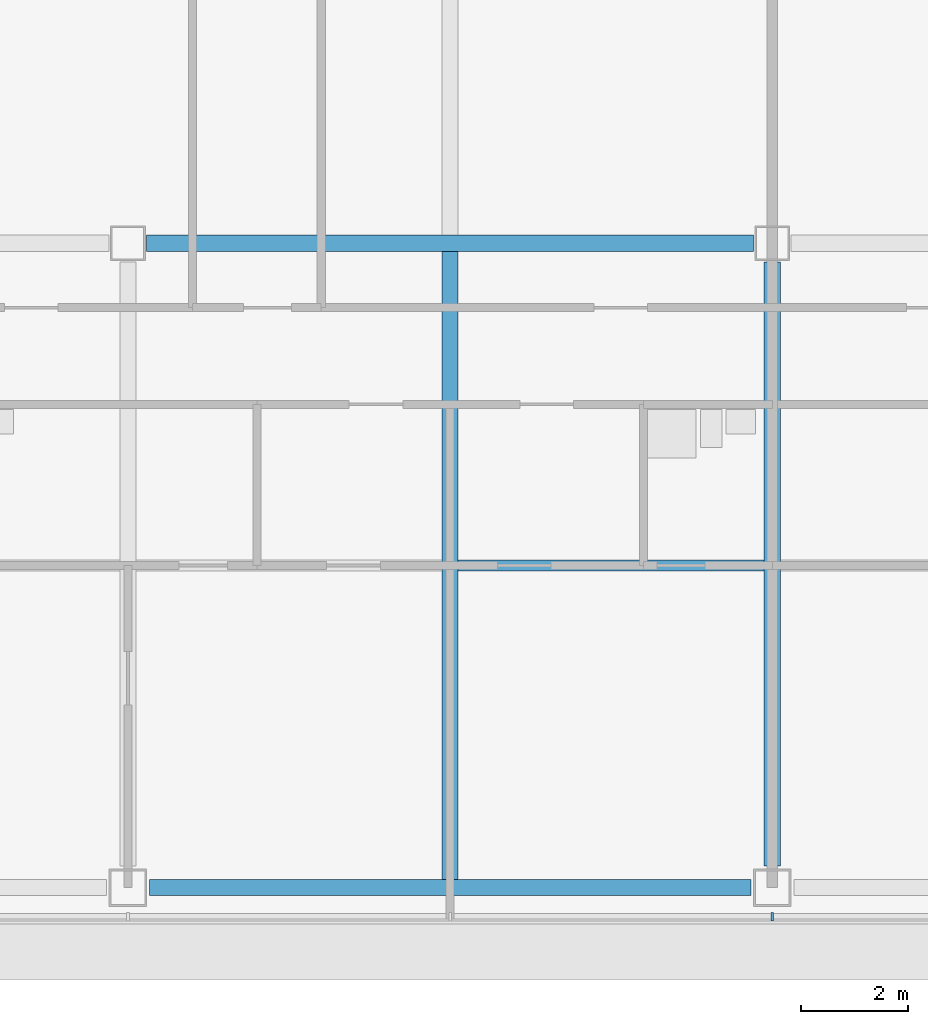
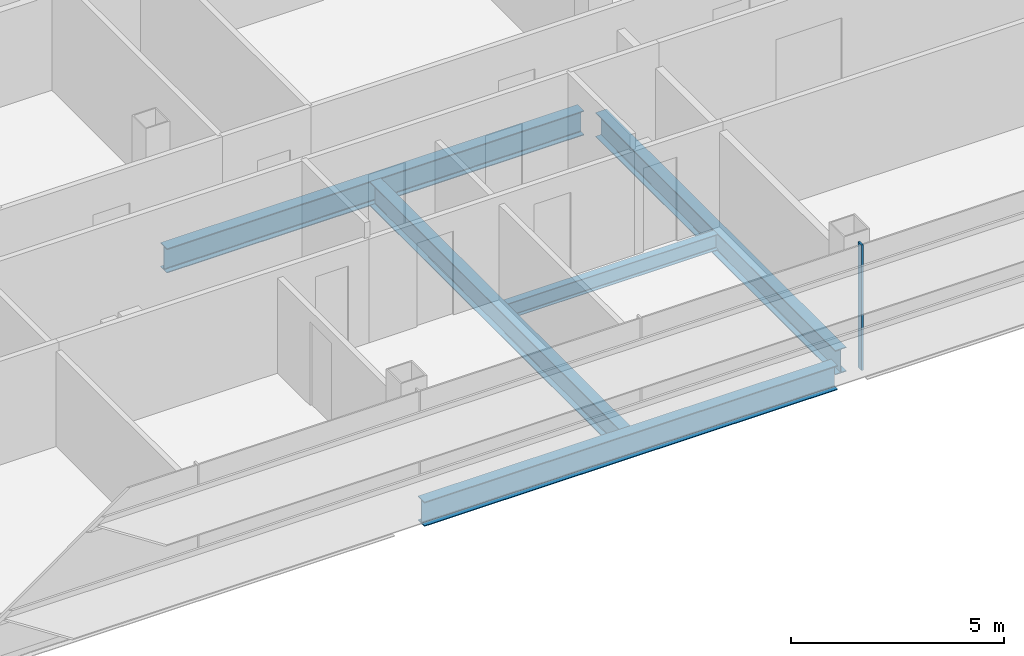
# One storey, part 3 of 26: 5 beams, 1 member, 1 element without a shape of its own.
"""IFC4 building model written with IfcOpenShell, lengths in metres."""

from ifc_helpers import new_model, si_unit, direction, frame, origin, origin_2d, place, context, subcontext, project, spatial, rectangle, i_section, extrude, material, material_profile, profile_set, type_object, element, aggregate, save


model = new_model("IFC4")

# Units and contexts
model_context = context("Model", 3, precision=1e-05, world=origin(), true_north=direction((0.0, 1.0)))
body_context = subcontext(model_context, "Body", "Model", "MODEL_VIEW")
ifc_project = project(units=[si_unit("LENGTHUNIT", "METRE"), si_unit("AREAUNIT", "SQUARE_METRE"), si_unit("VOLUMEUNIT", "CUBIC_METRE"), si_unit("PLANEANGLEUNIT", "RADIAN"), si_unit("MASSUNIT", "GRAM", prefix="KILO")], contexts=[model_context])

# Site, building, storey
site_placement = place(None, origin())
site = spatial("IfcSite", under=ifc_project, at=site_placement, CompositionType="ELEMENT")
building_placement = place(site_placement, origin())
building = spatial("IfcBuilding", under=site, at=building_placement, Name="Sorahane Residences", CompositionType="ELEMENT")
storey_placement = place(building_placement, frame((0.0, 0.0, 147.39990234375)))
storey = spatial("IfcBuildingStorey", under=building, at=storey_placement, Name="L33", CompositionType="ELEMENT", Elevation=147.39990234375)

# Curtain wall, member
ifc_material_1 = material(Name="Dark low-e glass and black anodised aluminium", Category="aluminium")
curtain_wall_type = type_object("IfcCurtainWallType", Name="Curtain wall CW-1 Typical unitised wall", PredefinedType="NOTDEFINED", material=ifc_material_1)
curtain_wall_placement = place(storey_placement, origin())
curtain_wall = element("IfcCurtainWall", 1, at=curtain_wall_placement, inside=storey, type_object=curtain_wall_type, Name="CW-1 curtain wall L33 S1", PredefinedType="NOTDEFINED")
ifc_material_2 = material(Name="Black anodised aluminium", Category="aluminium")
ifc_material_profile_1 = material_profile(ifc_material_2, rectangle(XDim=0.159912109375, YDim=0.050048828125, at=origin_2d()), Name="Curtain wall mullion CW-1 black anodised aluminium 50x160")
ifc_profile_set_1 = profile_set([ifc_material_profile_1], Name="Black anodised aluminium")
member_type = type_object("IfcMemberType", Name="Curtain wall mullion CW-1 black anodised aluminium 50x160", PredefinedType="MULLION", material=ifc_profile_set_1)
member_placement = place(storey_placement, frame((24.0, -0.5400390625, -0.179931640625), z_axis=(0.0, 0.0, 1.0), x_axis=(0.0, -1.0, 0.0)))
member = element("IfcMember", 2, at=member_placement, type_object=member_type, Name="CW-1 mullion L33 S1.5", PredefinedType="MULLION", context=body_context, shape_type="SweptSolid", body=[
    extrude(rectangle(XDim=0.159912109375, YDim=0.050048828125, at=origin_2d()), origin(), (0.0, 0.0, 1.0), 3.60009765625),
])
aggregate(curtain_wall, [member])

# Beams
ifc_material_3 = material(Name="Steel Q355B", Category="steel")
ifc_material_profile_2 = material_profile(ifc_material_3, i_section(OverallWidth=0.199951171875, OverallDepth=0.449951171875, WebThickness=0.009033203125, FlangeThickness=0.013916015625, FilletRadius=0.02001953125, at=origin_2d()), Name="HN 450x200x9x14")
ifc_profile_set_2 = profile_set([ifc_material_profile_2], Name="Steel Q355B")
beam_type_1 = type_object("IfcBeamType", Name="Steel floor beam HN 450x200x9x14 Q355B", PredefinedType="BEAM", material=ifc_profile_set_2)
beam_1_placement = place(storey_placement, frame((18.14990234375, 6.0, -0.40478515625), z_axis=(1.0, 0.0, 0.0), x_axis=(0.0, 1.0, 0.0)))
element("IfcBeam", 3, at=beam_1_placement, inside=storey, type_object=beam_type_1, Name="Beam L33 072", PredefinedType="BEAM", context=body_context, shape_type="SweptSolid", body=[
    extrude(i_section(OverallWidth=0.199951171875, OverallDepth=0.449951171875, WebThickness=0.009033203125, FlangeThickness=0.013916015625, FilletRadius=0.02001953125, at=origin_2d()), origin(), (0.0, 0.0, 1.0), 5.7001953125),
])
ifc_material_4 = material(Name="Steel Q355B", Category="steel")
ifc_material_profile_3 = material_profile(ifc_material_4, i_section(OverallWidth=0.300048828125, OverallDepth=0.699951171875, WebThickness=0.012939453125, FlangeThickness=0.02392578125, FilletRadius=0.028076171875, at=origin_2d()), Name="HN 700x300x13x24")
ifc_profile_set_3 = profile_set([ifc_material_profile_3], Name="Steel Q355B")
beam_type_2 = type_object("IfcBeamType", Name="Steel floor beam HN 700x300x13x24 Q355B", PredefinedType="BEAM", material=ifc_profile_set_3)
beam_2_placement = place(storey_placement, frame((12.39990234375, 0.0, -0.52978515625), z_axis=(1.0, 0.0, 0.0), x_axis=(0.0, 1.0, 0.0)))
element("IfcBeam", 4, at=beam_2_placement, inside=storey, type_object=beam_type_2, Name="Beam L33 001", PredefinedType="BEAM", context=body_context, shape_type="SweptSolid", body=[
    extrude(i_section(OverallWidth=0.300048828125, OverallDepth=0.699951171875, WebThickness=0.012939453125, FlangeThickness=0.02392578125, FilletRadius=0.028076171875, at=origin_2d()), origin(), (0.0, 0.0, 1.0), 11.2001953125),
])
beam_3_placement = place(storey_placement, frame((12.35009765625, 12.0, -0.52978515625), z_axis=(1.0, 0.0, 0.0), x_axis=(0.0, 1.0, 0.0)))
element("IfcBeam", 5, at=beam_3_placement, inside=storey, type_object=beam_type_2, Name="Beam L33 007", PredefinedType="BEAM", context=body_context, shape_type="SweptSolid", body=[
    extrude(i_section(OverallWidth=0.300048828125, OverallDepth=0.699951171875, WebThickness=0.012939453125, FlangeThickness=0.02392578125, FilletRadius=0.028076171875, at=origin_2d()), origin(), (0.0, 0.0, 1.0), 11.2998046875),
])
beam_4_placement = place(storey_placement, frame((18.0, 0.14990234375, -0.52978515625), z_axis=(0.0, 1.0, 0.0), x_axis=(-1.0, 0.0, 0.0)))
element("IfcBeam", 6, at=beam_4_placement, inside=storey, type_object=beam_type_2, Name="Beam L33 036", PredefinedType="BEAM", context=body_context, shape_type="SweptSolid", body=[
    extrude(i_section(OverallWidth=0.300048828125, OverallDepth=0.699951171875, WebThickness=0.012939453125, FlangeThickness=0.02392578125, FilletRadius=0.028076171875, at=origin_2d()), origin(), (0.0, 0.0, 1.0), 11.7001953125),
])
beam_5_placement = place(storey_placement, frame((24.0, 0.39990234375, -0.52978515625), z_axis=(0.0, 1.0, 0.0), x_axis=(-1.0, 0.0, 0.0)))
element("IfcBeam", 7, at=beam_5_placement, inside=storey, type_object=beam_type_2, Name="Beam L33 042", PredefinedType="BEAM", context=body_context, shape_type="SweptSolid", body=[
    extrude(i_section(OverallWidth=0.300048828125, OverallDepth=0.699951171875, WebThickness=0.012939453125, FlangeThickness=0.02392578125, FilletRadius=0.028076171875, at=origin_2d()), origin(), (0.0, 0.0, 1.0), 11.25),
])

save(model, "model.ifc")
